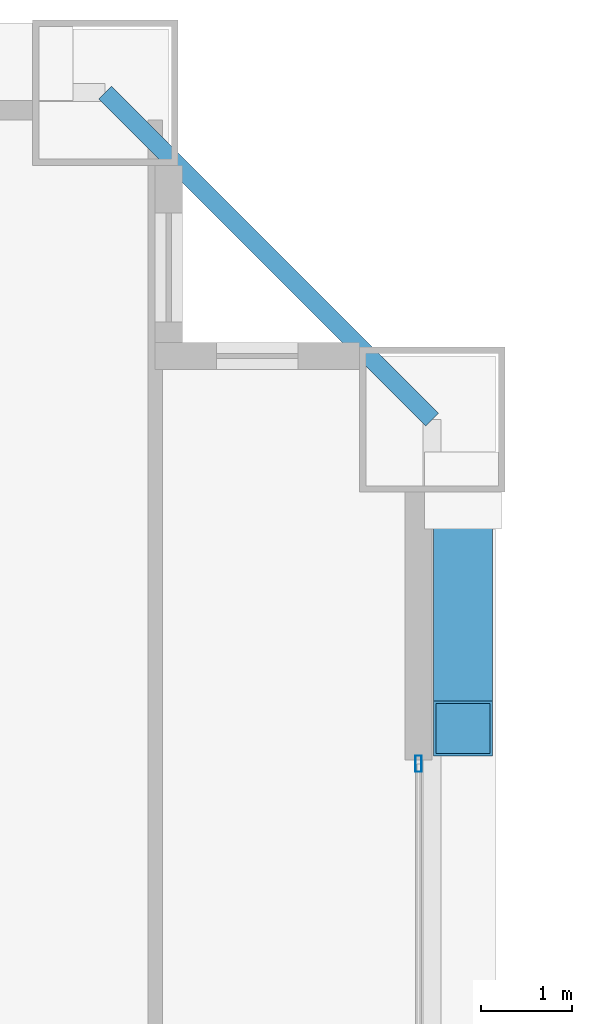
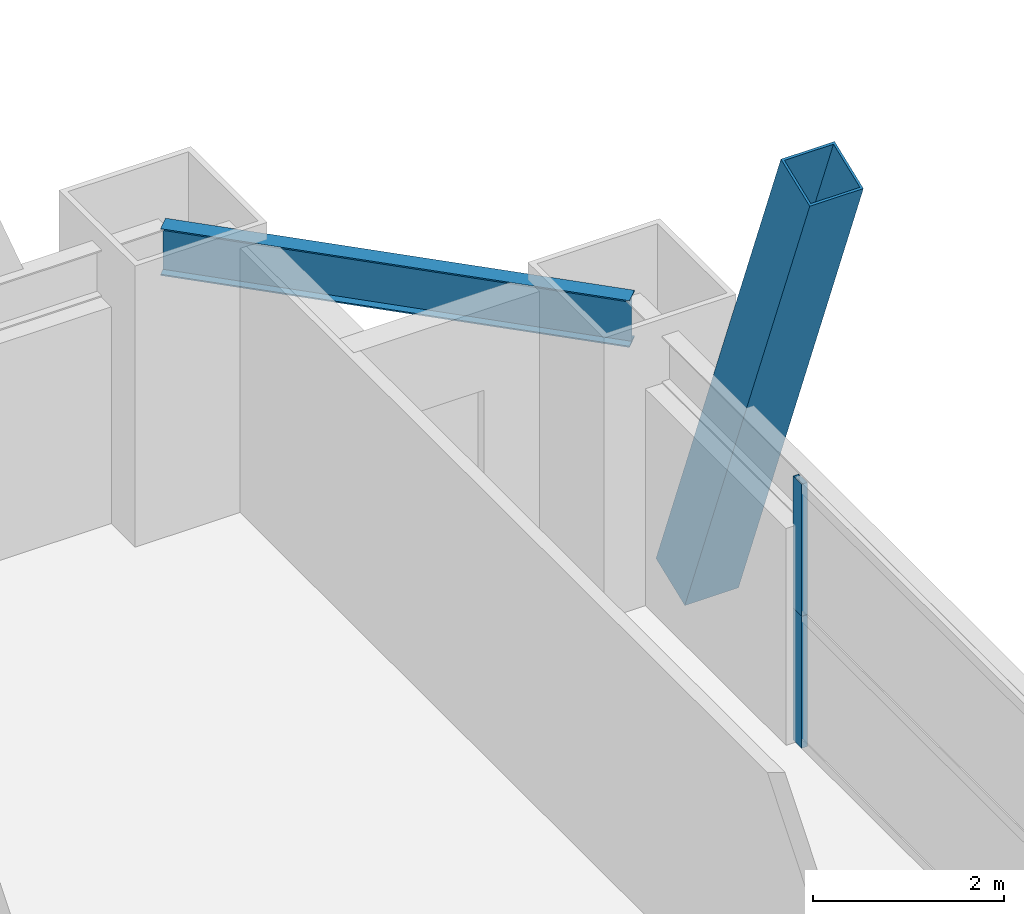
# One storey, part 33 of 43: 3 members, 1 beam, 1 element without a shape of its own.
"""IFC4 building model written with IfcOpenShell, lengths in metres."""

from ifc_helpers import new_model, si_unit, direction, frame, origin, origin_2d, place, context, subcontext, project, spatial, hollow_rectangle, i_section, extrude, source, transform, mapped, material, layer, layer_set, material_profile, profile_set, type_object, element, aggregate, save


model = new_model("IFC4")

# Units and contexts
model_context = context("Model", 3, precision=1e-05, world=origin(), true_north=direction((0.0, 1.0)))
body_context = subcontext(model_context, "Body", "Model", "MODEL_VIEW")
ifc_project = project(units=[si_unit("LENGTHUNIT", "METRE"), si_unit("AREAUNIT", "SQUARE_METRE"), si_unit("VOLUMEUNIT", "CUBIC_METRE"), si_unit("PLANEANGLEUNIT", "RADIAN"), si_unit("MASSUNIT", "GRAM", prefix="KILO"), si_unit("THERMODYNAMICTEMPERATUREUNIT", "KELVIN"), si_unit("POWERUNIT", "WATT")], contexts=[model_context])

# Site, building, storey
site_placement = place(None, origin())
site = spatial("IfcSite", under=ifc_project, at=site_placement, CompositionType="ELEMENT")
building_placement = place(site_placement, origin())
building = spatial("IfcBuilding", under=site, at=building_placement, Name="Yuzanri Waterfront Tower", CompositionType="ELEMENT")
storey_placement = place(building_placement, frame((0.0, 0.0, 159.60009765625)))
storey = spatial("IfcBuildingStorey", under=building, at=storey_placement, Name="L42", CompositionType="ELEMENT", Elevation=159.60009765625)

# Beam
ifc_material_1 = material(Name="Steel Q355B", Category="steel")
ifc_material_profile_1 = material_profile(ifc_material_1, i_section(OverallWidth=0.199951171875, OverallDepth=0.60009765625, WebThickness=0.010986328125, FlangeThickness=0.01708984375, at=origin_2d()), Name="HN 600x200x11x17")
ifc_profile_set_1 = profile_set([ifc_material_profile_1], Name="Steel Q355B")
beam_type = type_object("IfcBeamType", Name="Perimeter Spandrel Q355B HN 600x200", PredefinedType="SPANDREL", material=ifc_profile_set_1)
shared_shape_1 = source(origin(), body_context, "Body", "SweptSolid", [
    extrude(i_section(OverallWidth=0.199951171875, OverallDepth=0.60009765625, WebThickness=0.010986328125, FlangeThickness=0.01708984375, at=origin_2d()), origin(), (0.0, 0.0, 1.0), 5.091064453125),
])
beam_placement = place(storey_placement, frame((60.60009765625, 45.800048828125, 3.079833984375), z_axis=(-0.707130757816, 0.707082803744, 0.0), x_axis=(-0.707082803744, -0.707130757816, 0.0)))
element("IfcBeam", 1, at=beam_placement, inside=storey, type_object=beam_type, Name="L42 Perimeter Spandrel E3-N3", PredefinedType="SPANDREL", context=body_context, shape_type="MappedRepresentation", body=[
    mapped(shared_shape_1, transform((0.0, 0.0, 0.0), scale=1.0)),
])

# Member
ifc_material_2 = material(Name="Steel Q420GJC", Category="steel")
ifc_material_profile_2 = material_profile(ifc_material_2, hollow_rectangle(XDim=0.64990234375, YDim=0.64990234375, WallThickness=0.028076171875, at=origin_2d()), Name="RHS 650x650x28")
ifc_profile_set_2 = profile_set([ifc_material_profile_2], Name="Steel Q420GJC")
member_type_1 = type_object("IfcMemberType", Name="Mega Brace Lower Q420GJC RHS 650x650x28", PredefinedType="BRACE", material=ifc_profile_set_2)
shared_shape_2 = source(origin(), body_context, "Body", "SweptSolid", [
    extrude(hollow_rectangle(XDim=0.64990234375, YDim=0.64990234375, WallThickness=0.028076171875, at=origin_2d()), origin(), (0.0, 0.0, 1.0), 7.194091796875),
])
member_1_placement = place(storey_placement, frame((60.93994140625, 45.02001953125, 0.179931640625), z_axis=(0.0, -0.36420612543, 0.931318365651), x_axis=(1.0, 0.0, 0.0)))
element("IfcMember", 2, at=member_1_placement, inside=storey, type_object=member_type_1, Name="L42-L43 Perimeter Mega-Brace E-R", PredefinedType="BRACE", context=body_context, shape_type="MappedRepresentation", body=[
    mapped(shared_shape_2, transform((0.0, 0.0, 0.0), scale=1.0)),
])

# Curtain wall, members
ifc_material_3 = material(Name="Anodized Architectural Bronze", Category="metal")
ifc_layer = layer(ifc_material_3, 0.159912109375)
ifc_layer_set = layer_set([ifc_layer], Name="Anodized Architectural Bronze")
curtain_wall_type = type_object("IfcCurtainWallType", Name="Anodized Bronze Hotel Upper-Tier Solar-Control Unitized Curtain Wall 7800", PredefinedType="NOTDEFINED", material=ifc_layer_set)
curtain_wall_placement = place(storey_placement, origin())
curtain_wall = element("IfcCurtainWall", 3, at=curtain_wall_placement, inside=storey, type_object=curtain_wall_type, Name="L42 Curtain Wall CW-L42-ER", PredefinedType="NOTDEFINED")
ifc_material_4 = material(Name="Anodized Architectural Bronze", Category="metal")
ifc_material_profile_3 = material_profile(ifc_material_4, hollow_rectangle(XDim=0.070068359375, YDim=0.179931640625, WallThickness=0.00390625, at=origin_2d()), Name="CWM 70x180")
ifc_profile_set_3 = profile_set([ifc_material_profile_3], Name="Anodized Architectural Bronze")
member_type_2 = type_object("IfcMemberType", Name="Anodized Bronze Standard Curtain-Wall Mullion 70x180", PredefinedType="MULLION", material=ifc_profile_set_3)
shared_shape_3 = source(origin(), body_context, "Body", "SweptSolid", [
    extrude(hollow_rectangle(XDim=0.070068359375, YDim=0.179931640625, WallThickness=0.00390625, at=origin_2d()), origin(), (0.0, 0.0, 1.0), 1.68798828125),
])
member_2_placement = place(storey_placement, frame((60.449951171875, 42.010009765625, 0.0), z_axis=(0.0, 0.0, 1.0), x_axis=(1.0, 0.0, 0.0)))
member_2 = element("IfcMember", 4, at=member_2_placement, type_object=member_type_2, Name="CW-L42-ER Lower Mullion 02", PredefinedType="MULLION", context=body_context, shape_type="MappedRepresentation", body=[
    mapped(shared_shape_3, transform((0.0, 0.0, 0.0), scale=1.0)),
])
member_3_placement = place(storey_placement, frame((60.449951171875, 42.010009765625, 1.69189453125), z_axis=(0.0, 0.0, 1.0), x_axis=(1.0, 0.0, 0.0)))
member_3 = element("IfcMember", 5, at=member_3_placement, type_object=member_type_2, Name="CW-L42-ER Upper Mullion 02", PredefinedType="MULLION", context=body_context, shape_type="MappedRepresentation", body=[
    mapped(shared_shape_3, transform((0.0, 0.0, 0.0), scale=1.0)),
])
aggregate(curtain_wall, [member_2, member_3])

save(model, "model.ifc")
